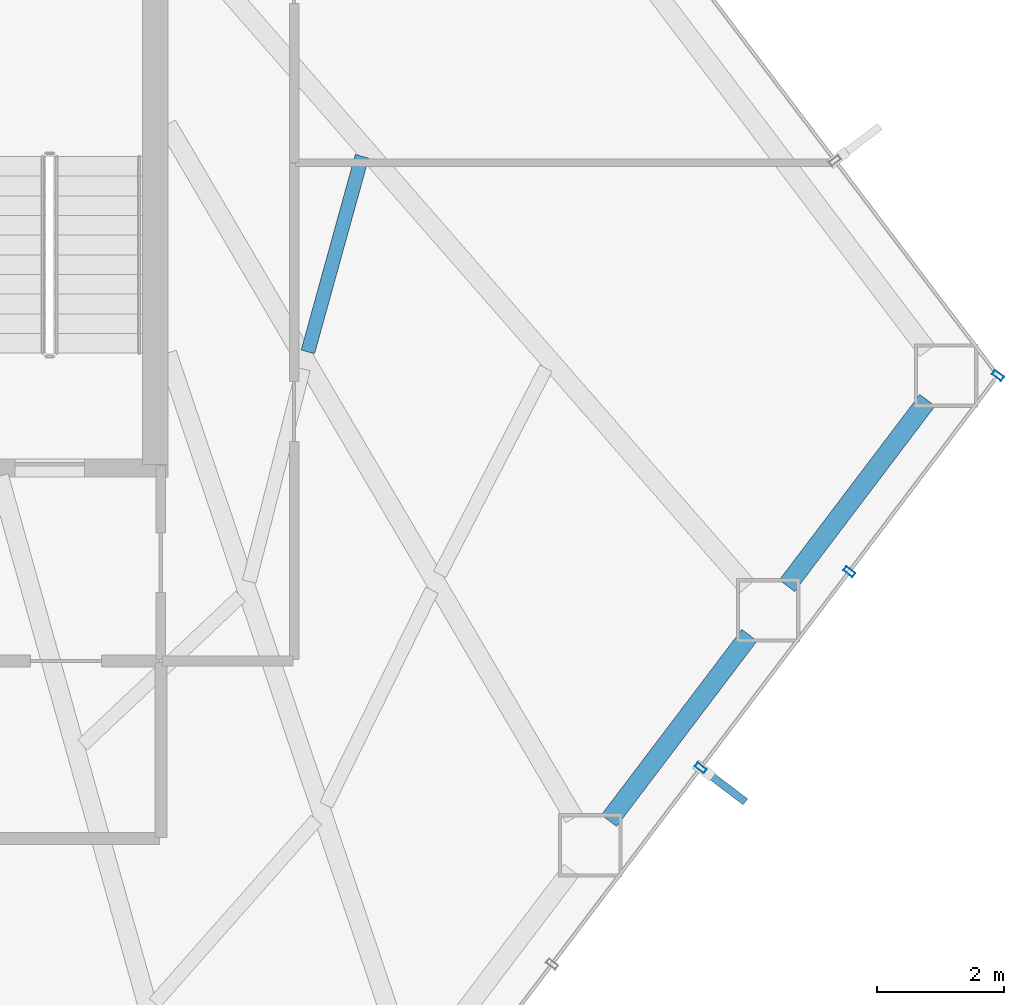
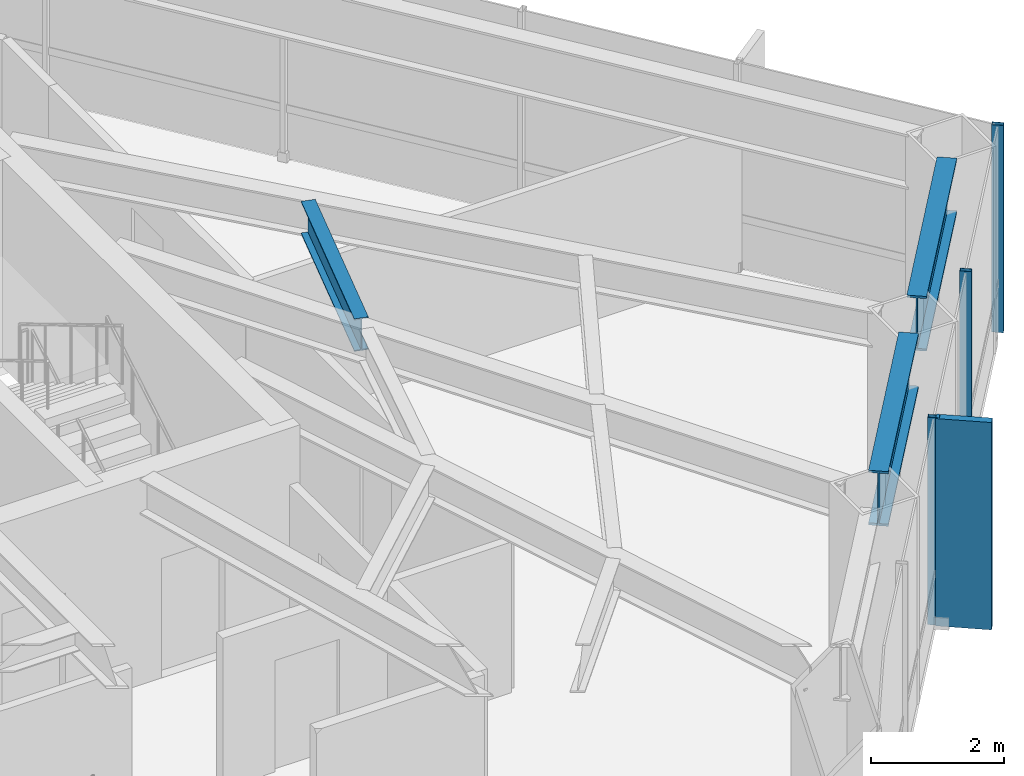
# One storey, part 19 of 26: 4 members, 3 beams, 1 element without a shape of its own.
"""IFC4 building model written with IfcOpenShell, lengths in metres."""

from ifc_helpers import new_model, si_unit, direction, frame, origin, origin_2d, place, context, subcontext, project, spatial, rectangle, hollow_rectangle, i_section, extrude, material, layer, layer_set, material_profile, profile_set, type_object, element, aggregate, save


model = new_model("IFC4")

# Units and contexts
model_context = context("Model", 3, precision=1e-05, world=origin(), true_north=direction((0.0, 1.0)))
body_context = subcontext(model_context, "Body", "Model", "MODEL_VIEW")
ifc_project = project(units=[si_unit("LENGTHUNIT", "METRE"), si_unit("AREAUNIT", "SQUARE_METRE"), si_unit("VOLUMEUNIT", "CUBIC_METRE"), si_unit("PLANEANGLEUNIT", "RADIAN"), si_unit("MASSUNIT", "GRAM", prefix="KILO")], contexts=[model_context])

# Site, building, storey
site_placement = place(None, origin())
site = spatial("IfcSite", under=ifc_project, at=site_placement, CompositionType="ELEMENT")
building_placement = place(site_placement, origin())
building = spatial("IfcBuilding", under=site, at=building_placement, Name="Zarrinselat Tower", CompositionType="ELEMENT")
storey_placement = place(building_placement, frame((0.0, 0.0, 31.6201171875)))
storey = spatial("IfcBuildingStorey", under=building, at=storey_placement, Name="L07", CompositionType="ELEMENT", Elevation=31.6201171875)

# Beams
ifc_material_1 = material(Name="Steel S460M", Category="steel")
ifc_material_profile_1 = material_profile(ifc_material_1, i_section(OverallWidth=0.302001953125, OverallDepth=1.008056640625, WebThickness=0.02099609375, FlangeThickness=0.0400390625, at=origin_2d()), Name="HEM 1000")
ifc_profile_set_1 = profile_set([ifc_material_profile_1], Name="Steel S460M")
beam_type_1 = type_object("IfcBeamType", Name="BM-HEM1000", PredefinedType="BEAM", material=ifc_profile_set_1)
for number, where, z_axis, x_axis, name in (
    (1, (55.411865234375, 27.63330078125, 3.31591796875), (0.603869220808, 0.797083411043, 0.0), (-0.797083411043, 0.603869220808, 0.0), "L07 Perimeter Spandrel Girder SP13"),
    (2, (58.21630859375, 31.335205078125, 3.31591796875), (0.603869220808, 0.797083411043, 0.0), (-0.797083411043, 0.603869220808, 0.0), "L07 Perimeter Spandrel Girder SP14"),
):
    element("IfcBeam", number, at=place(storey_placement, frame(where, z_axis=z_axis, x_axis=x_axis)), inside=storey, type_object=beam_type_1, Name=name, PredefinedType="BEAM", context=body_context, shape_type="SweptSolid", body=[
        extrude(i_section(OverallWidth=0.302001953125, OverallDepth=1.008056640625, WebThickness=0.02099609375, FlangeThickness=0.0400390625, at=origin_2d()), origin(), (0.0, 0.0, 1.0), 3.668212890625),
    ])
ifc_material_2 = material(Name="Steel S355J2", Category="steel")
ifc_material_profile_2 = material_profile(ifc_material_2, i_section(OverallWidth=0.219970703125, OverallDepth=0.60009765625, WebThickness=0.011962890625, FlangeThickness=0.01904296875, at=origin_2d()), Name="IPE 600")
ifc_profile_set_2 = profile_set([ifc_material_profile_2], Name="Steel S355J2")
beam_type_2 = type_object("IfcBeamType", Name="BM-IPE600", PredefinedType="JOIST", material=ifc_profile_set_2)
beam_placement = place(storey_placement, frame((50.667724609375, 35.021240234375, 3.519775390625), z_axis=(0.266726369268, 0.963772298801, 0.0), x_axis=(-0.963772298801, 0.266726369268, 0.0)))
element("IfcBeam", 3, at=beam_placement, inside=storey, type_object=beam_type_2, Name="L07 Composite Floor Joist 6-2", PredefinedType="JOIST", context=body_context, shape_type="SweptSolid", body=[
    extrude(i_section(OverallWidth=0.219970703125, OverallDepth=0.60009765625, WebThickness=0.011962890625, FlangeThickness=0.01904296875, at=origin_2d()), origin(), (0.0, 0.0, 1.0), 3.1982421875),
])

# Curtain wall, members
ifc_material_3 = material(Name="Extruded Aluminium Alloy EN AW-6063 T6", Category="aluminium")
ifc_layer = layer(ifc_material_3, 0.18505859375)
ifc_layer_set = layer_set([ifc_layer], Name="Extruded Aluminium Alloy EN AW-6063 T6")
curtain_wall_type = type_object("IfcCurtainWallType", Name="CWS-OFF", PredefinedType="NOTDEFINED", material=ifc_layer_set)
curtain_wall_placement = place(storey_placement, origin())
curtain_wall = element("IfcCurtainWall", 4, at=curtain_wall_placement, inside=storey, type_object=curtain_wall_type, Name="L07 Unitised Curtain Wall CW-L07-E05", PredefinedType="NOTDEFINED")
ifc_material_4 = material(Name="Extruded Aluminium Alloy EN AW-6063 T6", Category="aluminium")
ifc_material_profile_3 = material_profile(ifc_material_4, hollow_rectangle(XDim=0.080078125, YDim=0.179931640625, WallThickness=0.0048828125, at=origin_2d()), Name="RHS 180x80x5")
ifc_profile_set_3 = profile_set([ifc_material_profile_3], Name="Extruded Aluminium Alloy EN AW-6063 T6")
member_type_1 = type_object("IfcMemberType", Name="MEM-CW-MUL", PredefinedType="MULLION", material=ifc_profile_set_3)
member_1_placement = place(storey_placement, frame((56.857421875, 28.465087890625, 0.0), z_axis=(0.0, 0.0, 1.0), x_axis=(0.603858382963, 0.797091621663, 0.0)))
member_1 = element("IfcMember", 5, at=member_1_placement, type_object=member_type_1, Name="CW-L07-E05 Mullion 3", PredefinedType="MULLION", context=body_context, shape_type="SweptSolid", body=[
    extrude(hollow_rectangle(XDim=0.080078125, YDim=0.179931640625, WallThickness=0.0048828125, at=origin_2d()), origin(), (0.0, 0.0, 1.0), 3.81982421875),
])
member_2_placement = place(storey_placement, frame((59.19970703125, 31.556640625, 0.0), z_axis=(0.0, 0.0, 1.0), x_axis=(0.603858382963, 0.797091621663, 0.0)))
member_2 = element("IfcMember", 6, at=member_2_placement, type_object=member_type_1, Name="CW-L07-E05 Mullion 4", PredefinedType="MULLION", context=body_context, shape_type="SweptSolid", body=[
    extrude(hollow_rectangle(XDim=0.080078125, YDim=0.179931640625, WallThickness=0.0048828125, at=origin_2d()), origin(), (0.0, 0.0, 1.0), 3.81982421875),
])
member_3_placement = place(storey_placement, frame((61.541748046875, 34.648193359375, 0.0), z_axis=(0.0, 0.0, 1.0), x_axis=(0.603858382963, 0.797091621663, 0.0)))
member_3 = element("IfcMember", 7, at=member_3_placement, type_object=member_type_1, Name="CW-L07-E05 Mullion 5", PredefinedType="MULLION", context=body_context, shape_type="SweptSolid", body=[
    extrude(hollow_rectangle(XDim=0.080078125, YDim=0.179931640625, WallThickness=0.0048828125, at=origin_2d()), origin(), (0.0, 0.0, 1.0), 3.81982421875),
])
ifc_material_5 = material(Name="Honed Cream Travertine Stone", Category="masonry")
ifc_material_profile_4 = material_profile(ifc_material_5, rectangle(XDim=0.1201171875, YDim=0.85009765625, at=origin_2d()), Name="FIN 850x120")
ifc_profile_set_4 = profile_set([ifc_material_profile_4], Name="Honed Cream Travertine Stone")
member_type_2 = type_object("IfcMemberType", Name="MEM-STONE-FIN", PredefinedType="USERDEFINED", material=ifc_profile_set_4)
member_4_placement = place(storey_placement, frame((57.22412109375, 28.187255859375, 0.0), z_axis=(0.0, 0.0, 1.0), x_axis=(-0.603858382963, -0.797091621663, 0.0)))
member_4 = element("IfcMember", 8, at=member_4_placement, type_object=member_type_2, Name="L07 Stone Shading Fin CW-L07-E05-03", ObjectType="FIN", PredefinedType="USERDEFINED", context=body_context, shape_type="SweptSolid", body=[
    extrude(rectangle(XDim=0.1201171875, YDim=0.85009765625, at=origin_2d()), origin(), (0.0, 0.0, 1.0), 3.81982421875),
])
aggregate(curtain_wall, [member_1, member_4, member_2, member_3])

save(model, "model.ifc")
